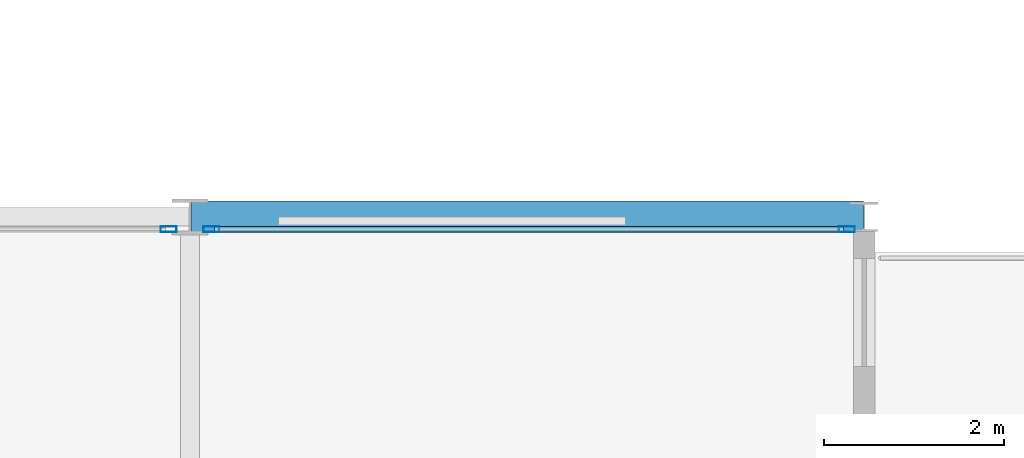
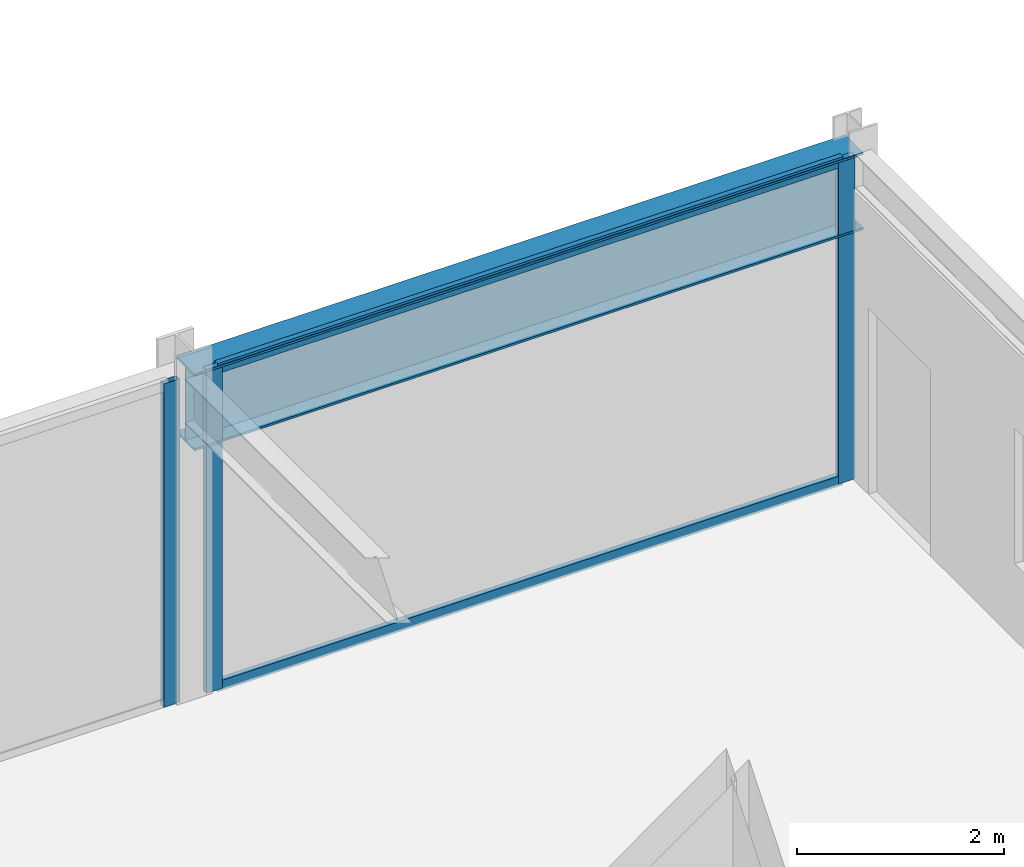
# One storey, part 22 of 38: 5 members, 1 beam, 2 elements without a shape of their own.
"""IFC4 building model written with IfcOpenShell, lengths in metres."""

from ifc_helpers import new_model, si_unit, direction, frame, origin, origin_2d, place, context, subcontext, project, spatial, hollow_rectangle, i_section, extrude, material, layer, layer_set, material_profile, profile_set, type_object, element, aggregate, save


model = new_model("IFC4")

# Units and contexts
model_context = context("Model", 3, precision=1e-05, world=origin(), true_north=direction((0.0, 1.0)))
body_context = subcontext(model_context, "Body", "Model", "MODEL_VIEW")
ifc_project = project(units=[si_unit("LENGTHUNIT", "METRE"), si_unit("AREAUNIT", "SQUARE_METRE"), si_unit("VOLUMEUNIT", "CUBIC_METRE"), si_unit("PLANEANGLEUNIT", "RADIAN"), si_unit("MASSUNIT", "GRAM", prefix="KILO")], contexts=[model_context])

# Site, building, storey
site_placement = place(None, origin())
site = spatial("IfcSite", under=ifc_project, at=site_placement, CompositionType="ELEMENT")
building_placement = place(site_placement, origin())
building = spatial("IfcBuilding", under=site, at=building_placement, Name="Nerrivon Quay Data Exchange", CompositionType="ELEMENT")
storey_placement = place(building_placement, frame((0.0, 0.0, 84.39990234375)))
storey = spatial("IfcBuildingStorey", under=building, at=storey_placement, Name="L19", CompositionType="ELEMENT", Elevation=84.39990234375)

# Beam
ifc_material_1 = material(Name="Steel Grade 350", Category="steel")
ifc_material_profile_1 = material_profile(ifc_material_1, i_section(OverallWidth=0.35009765625, OverallDepth=0.909912109375, WebThickness=0.011962890625, FlangeThickness=0.02490234375, at=origin_2d()), Name="900WB218")
ifc_profile_set_1 = profile_set([ifc_material_profile_1], Name="Steel Grade 350")
beam_type = type_object("IfcBeamType", Name="BM-CANT-900WB", PredefinedType="USERDEFINED", material=ifc_profile_set_1)
beam_placement = place(storey_placement, frame((50.41259765625, 25.199951171875, 3.3701171875), z_axis=(1.0, 0.0, 0.0), x_axis=(0.0, 1.0, 0.0)))
element("IfcBeam", 1, at=beam_placement, inside=storey, type_object=beam_type, Name="L19 East Hooked Cantilever Girder Y=25.2", ObjectType="TRANSFER", PredefinedType="USERDEFINED", context=body_context, shape_type="SweptSolid", body=[
    extrude(i_section(OverallWidth=0.35009765625, OverallDepth=0.909912109375, WebThickness=0.011962890625, FlangeThickness=0.02490234375, at=origin_2d()), origin(), (0.0, 0.0, 1.0), 7.4794921875),
])

# Curtain wall, member
ifc_material_2 = material(Name="Anodised aluminium 6063-T6", Category="aluminium")
ifc_layer_1 = layer(ifc_material_2, 0.2099609375)
ifc_layer_set_1 = layer_set([ifc_layer_1], Name="Anodised aluminium 6063-T6")
curtain_wall_type_1 = type_object("IfcCurtainWallType", Name="CW-SYS-02", PredefinedType="NOTDEFINED", material=ifc_layer_set_1)
curtain_wall_1_placement = place(storey_placement, origin())
curtain_wall_1 = element("IfcCurtainWall", 2, at=curtain_wall_1_placement, inside=storey, type_object=curtain_wall_type_1, Name="L19 Unitised Curtain Wall 34", PredefinedType="NOTDEFINED")
ifc_material_profile_2 = material_profile(ifc_material_2, hollow_rectangle(XDim=0.06494140625, YDim=0.179931640625, WallThickness=0.00341796875, at=origin_2d()), Name="ALU-MULL-180x65")
ifc_profile_set_2 = profile_set([ifc_material_profile_2], Name="Anodised aluminium 6063-T6")
member_type_1 = type_object("IfcMemberType", Name="CWM-180x65", PredefinedType="MULLION", material=ifc_profile_set_2)
member_1_placement = place(storey_placement, frame((50.16259765625, 25.06005859375, 0.0), z_axis=(0.0, 0.0, 1.0), x_axis=(0.0, 1.0, 0.0)))
member_1 = element("IfcMember", 3, at=member_1_placement, type_object=member_type_1, Name="CW02 mullion 2", PredefinedType="MULLION", context=body_context, shape_type="SweptSolid", body=[
    extrude(hollow_rectangle(XDim=0.06494140625, YDim=0.179931640625, WallThickness=0.00341796875, at=origin_2d()), origin(), (0.0, 0.0, 1.0), 3.8251953125),
])
aggregate(curtain_wall_1, [member_1])

# Curtain wall, members
ifc_layer_2 = layer(ifc_material_2, 0.199951171875)
ifc_layer_set_2 = layer_set([ifc_layer_2], Name="Anodised aluminium 6063-T6")
curtain_wall_type_2 = type_object("IfcCurtainWallType", Name="CW-SYS-04", PredefinedType="NOTDEFINED", material=ifc_layer_set_2)
curtain_wall_2_placement = place(storey_placement, origin())
curtain_wall_2 = element("IfcCurtainWall", 4, at=curtain_wall_2_placement, inside=storey, type_object=curtain_wall_type_2, Name="L19 Unitised Curtain Wall 35", PredefinedType="NOTDEFINED")
member_2_placement = place(storey_placement, frame((50.637451171875, 25.06005859375, 0.0), z_axis=(0.0, 0.0, 1.0), x_axis=(0.0, 1.0, 0.0)))
member_2 = element("IfcMember", 5, at=member_2_placement, type_object=member_type_1, Name="CW04 mullion 1", PredefinedType="MULLION", context=body_context, shape_type="SweptSolid", body=[
    extrude(hollow_rectangle(XDim=0.06494140625, YDim=0.179931640625, WallThickness=0.00341796875, at=origin_2d()), origin(), (0.0, 0.0, 1.0), 3.8251953125),
])
member_3_placement = place(storey_placement, frame((57.70703125, 25.06005859375, 0.0), z_axis=(0.0, 0.0, 1.0), x_axis=(0.0, 1.0, 0.0)))
member_3 = element("IfcMember", 6, at=member_3_placement, type_object=member_type_1, Name="CW04 mullion 2", PredefinedType="MULLION", context=body_context, shape_type="SweptSolid", body=[
    extrude(hollow_rectangle(XDim=0.06494140625, YDim=0.179931640625, WallThickness=0.00341796875, at=origin_2d()), origin(), (0.0, 0.0, 1.0), 3.8251953125),
])
ifc_material_profile_3 = material_profile(ifc_material_2, hollow_rectangle(XDim=0.06005859375, YDim=0.1201171875, WallThickness=0.003173828125, at=origin_2d()), Name="ALU-TRAN-120x60")
ifc_profile_set_3 = profile_set([ifc_material_profile_3], Name="Anodised aluminium 6063-T6")
member_type_2 = type_object("IfcMemberType", Name="CWT-120x60", PredefinedType="USERDEFINED", material=ifc_profile_set_3)
member_4_placement = place(storey_placement, frame((50.675048828125, 25.06005859375, 0.03271484375), z_axis=(1.0, 0.0, 0.0), x_axis=(0.0, 1.0, 0.0)))
member_4 = element("IfcMember", 7, at=member_4_placement, type_object=member_type_2, Name="CW04 transom 1.1", ObjectType="TRANSOM", PredefinedType="USERDEFINED", context=body_context, shape_type="SweptSolid", body=[
    extrude(hollow_rectangle(XDim=0.06005859375, YDim=0.1201171875, WallThickness=0.003173828125, at=origin_2d()), origin(), (0.0, 0.0, 1.0), 6.994384765625),
])
member_5_placement = place(storey_placement, frame((50.675048828125, 25.06005859375, 3.79248046875), z_axis=(1.0, 0.0, 0.0), x_axis=(0.0, 1.0, 0.0)))
member_5 = element("IfcMember", 8, at=member_5_placement, type_object=member_type_2, Name="CW04 transom 1.2", ObjectType="TRANSOM", PredefinedType="USERDEFINED", context=body_context, shape_type="SweptSolid", body=[
    extrude(hollow_rectangle(XDim=0.06005859375, YDim=0.1201171875, WallThickness=0.003173828125, at=origin_2d()), origin(), (0.0, 0.0, 1.0), 6.994384765625),
])
aggregate(curtain_wall_2, [member_2, member_3, member_4, member_5])

save(model, "model.ifc")
